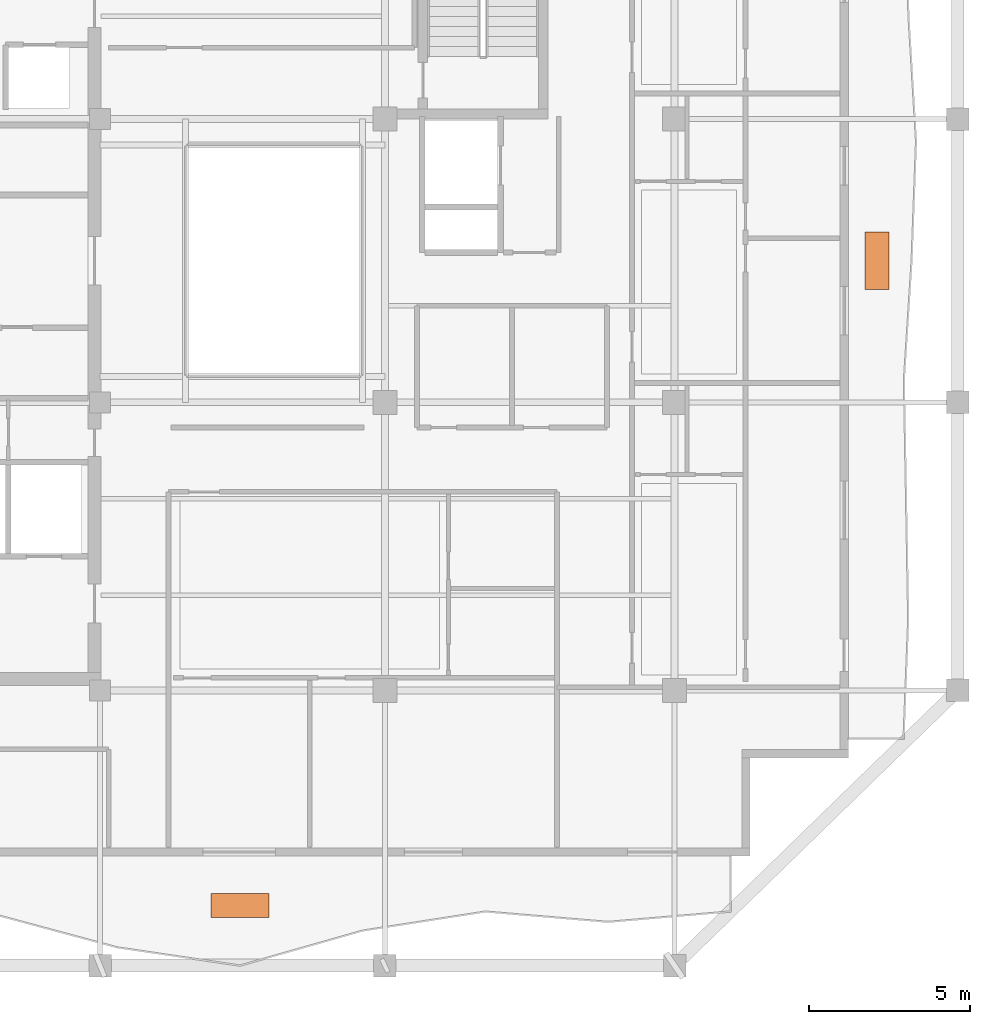
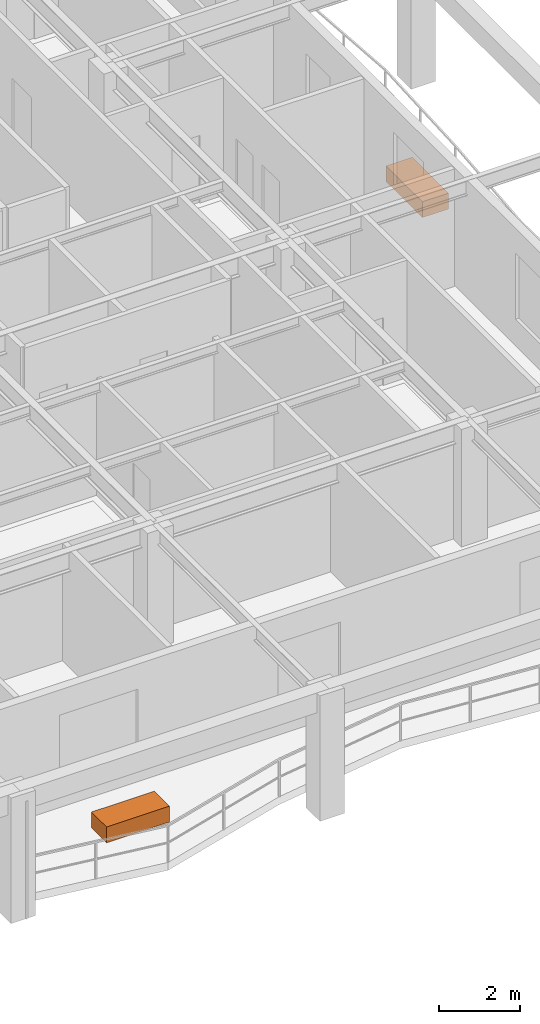
# One storey, part 10 of 10: 2 proxies.
"""IFC4 building model written with IfcOpenShell, lengths in metres."""

from ifc_helpers import new_model, si_unit, direction, frame, origin, origin_2d, place, context, subcontext, project, spatial, rectangle, extrude, material, type_object, element, save


model = new_model("IFC4")

# Units and contexts
model_context = context("Model", 3, precision=1e-05, world=origin(), true_north=direction((0.0, 1.0)))
body_context = subcontext(model_context, "Body", "Model", "MODEL_VIEW")
ifc_project = project(units=[si_unit("LENGTHUNIT", "METRE"), si_unit("AREAUNIT", "SQUARE_METRE"), si_unit("VOLUMEUNIT", "CUBIC_METRE"), si_unit("PLANEANGLEUNIT", "RADIAN"), si_unit("MASSUNIT", "GRAM", prefix="KILO")], contexts=[model_context])

# Site, building, storey
site_placement = place(None, origin())
site = spatial("IfcSite", under=ifc_project, at=site_placement, CompositionType="ELEMENT")
building_placement = place(site_placement, origin())
building = spatial("IfcBuilding", under=site, at=building_placement, Name="Kundavana Baori Tower", CompositionType="ELEMENT")
storey_placement = place(building_placement, frame((0.0, 0.0, 320.10009765625)))
storey = spatial("IfcBuildingStorey", under=building, at=storey_placement, Name="L79", CompositionType="ELEMENT", Elevation=320.10009765625)

# Proxies
ifc_material = material(Name="Red-Buff Dholpur Sandstone Cladding on Concrete C40/50", Category="masonry")
building_element_proxy_type = type_object("IfcBuildingElementProxyType", Name="PRX-PLANTER-1800", PredefinedType="USERDEFINED", material=ifc_material)
for number, where, z_axis, x_axis, name in (
    (1, (29.300048828125, 8.570068359375, 0.0), (0.0, 0.0, 1.0), (1.0, 0.0, 0.0), "L79 Dholpur Stone Structural Tree Planter S"),
    (2, (49.0869140625, 28.60009765625, 0.0), (0.0, 0.0, 1.0), (0.0, 1.0, 0.0), "L79 Dholpur Stone Structural Tree Planter E"),
):
    element("IfcBuildingElementProxy", number, at=place(storey_placement, frame(where, z_axis=z_axis, x_axis=x_axis)), inside=storey, type_object=building_element_proxy_type, Name=name, ObjectType="PLANTER", PredefinedType="USERDEFINED", context=body_context, shape_type="SweptSolid", body=[
        extrude(rectangle(XDim=1.800048828125, YDim=0.75, at=origin_2d()), origin(), (0.0, 0.0, 1.0), 0.47998046875),
    ])

save(model, "model.ifc")
